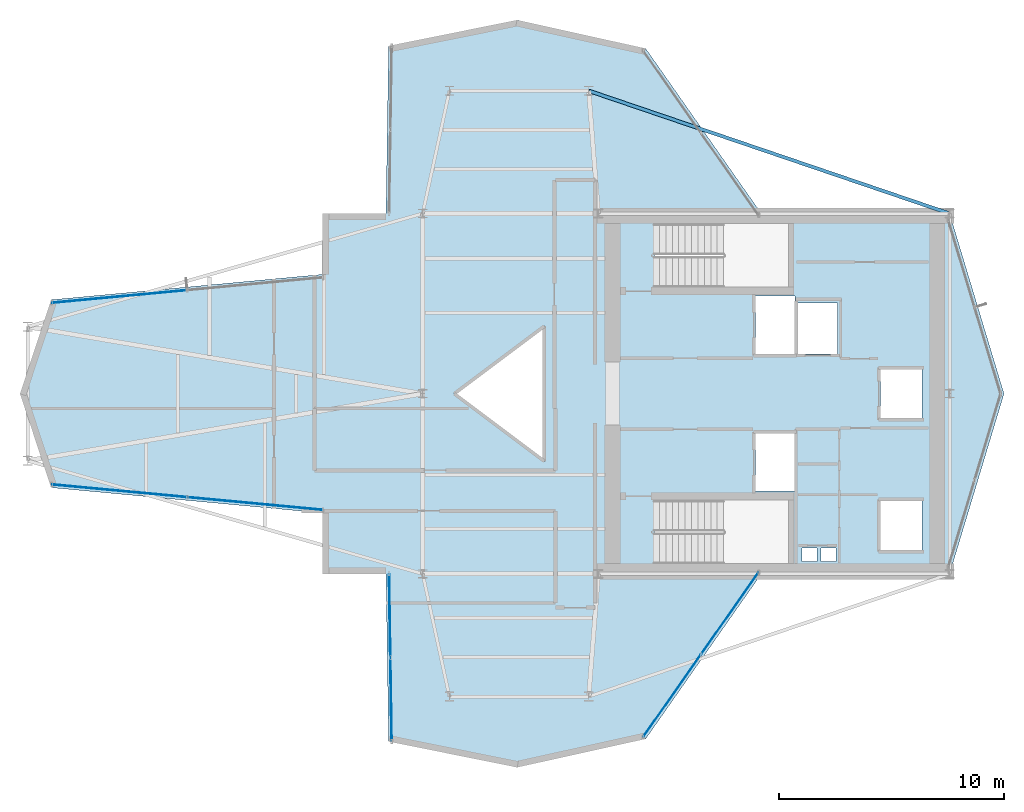
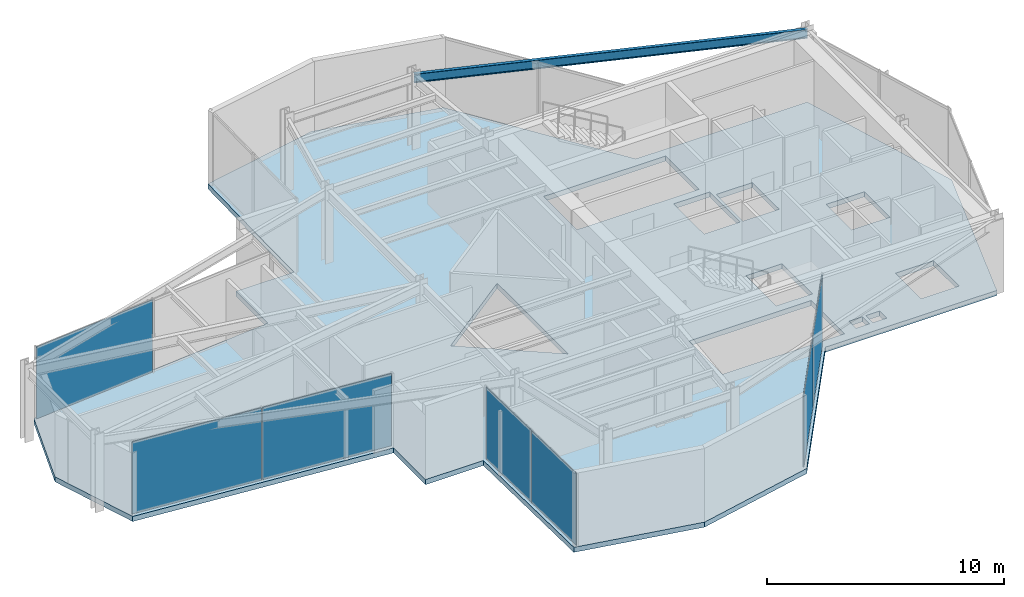
# One storey, part 17 of 22: 7 plates, 1 beam, 1 slab, 4 elements without a shape of their own.
"""IFC4 building model written with IfcOpenShell, lengths in metres."""

from ifc_helpers import new_model, si_unit, direction, frame, origin, origin_2d, place, context, subcontext, project, spatial, polyline, rectangle, i_section, outline, extrude, material, layer, layer_set, material_profile, profile_set, type_object, element, aggregate, save


model = new_model("IFC4")

# Units and contexts
model_context = context("Model", 3, precision=1e-05, world=origin(), true_north=direction((0.0, 1.0)))
body_context = subcontext(model_context, "Body", "Model", "MODEL_VIEW")
ifc_project = project(units=[si_unit("LENGTHUNIT", "METRE"), si_unit("AREAUNIT", "SQUARE_METRE"), si_unit("VOLUMEUNIT", "CUBIC_METRE"), si_unit("PLANEANGLEUNIT", "RADIAN"), si_unit("MASSUNIT", "GRAM", prefix="KILO")], contexts=[model_context])

# Site, building, storey
site_placement = place(None, origin())
site = spatial("IfcSite", under=ifc_project, at=site_placement, CompositionType="ELEMENT")
building_placement = place(site_placement, origin())
building = spatial("IfcBuilding", under=site, at=building_placement, Name="Veymaron Broadcast Tower", CompositionType="ELEMENT")
storey_placement = place(building_placement, frame((0.0, 0.0, 216.14990234375)))
storey = spatial("IfcBuildingStorey", under=building, at=storey_placement, Name="L50", CompositionType="ELEMENT", Elevation=216.14990234375)

# Beam
ifc_material_1 = material(Name="Structural steel ASTM A992 Gr 50", Category="steel")
ifc_material_profile = material_profile(ifc_material_1, i_section(OverallWidth=0.154052734375, OverallDepth=0.458984375, WebThickness=0.009033203125, FlangeThickness=0.015380859375, at=origin_2d()), Name="W460X68")
ifc_profile_set = profile_set([ifc_material_profile], Name="Structural steel ASTM A992 Gr 50")
beam_type = type_object("IfcBeamType", Name="BM-SP2", PredefinedType="SPANDREL", material=ifc_profile_set)
beam_placement = place(storey_placement, frame((54.60009765625, 32.0, 3.560546875), z_axis=(-0.946747509746, 0.3219769445, 0.0), x_axis=(-0.3219769445, -0.946747509746, 0.0)))
element("IfcBeam", 1, at=beam_placement, inside=storey, type_object=beam_type, Name="L50 primary structural floor girder", PredefinedType="SPANDREL", context=body_context, shape_type="SweptSolid", body=[
    extrude(i_section(OverallWidth=0.154052734375, OverallDepth=0.458984375, WebThickness=0.009033203125, FlangeThickness=0.015380859375, at=origin_2d()), origin(), (0.0, 0.0, 1.0), 16.926513671875),
])

# Curtain wall, plate
ifc_material_2 = material(Name="Anodised aluminium AA 6063-T6 and laminated low-E dark glass", Category="aluminium")
ifc_layer_1 = layer(ifc_material_2, 0.179931640625)
ifc_layer_set_1 = layer_set([ifc_layer_1], Name="Anodised aluminium AA 6063-T6 and laminated low-E dark glass")
curtain_wall_type = type_object("IfcCurtainWallType", Name="CW-SYS-05", PredefinedType="NOTDEFINED", material=ifc_layer_set_1)
curtain_wall_1_placement = place(storey_placement, origin())
curtain_wall_1 = element("IfcCurtainWall", 2, at=curtain_wall_1_placement, inside=storey, type_object=curtain_wall_type, Name="L50 dark-glass curtain wall CW-L50-E11-1", PredefinedType="NOTDEFINED")
ifc_material_3 = material(Name="Double-silver solar-control dark glass IGU 32 mm", Category="glass")
ifc_layer_2 = layer(ifc_material_3, 0.031982421875)
ifc_layer_set_2 = layer_set([ifc_layer_2], Name="Double-silver solar-control dark glass IGU 32 mm")
plate_type = type_object("IfcPlateType", Name="CW-PNL-02", PredefinedType="CURTAIN_PANEL", material=ifc_layer_set_2)
plate_1_placement = place(storey_placement, frame((17.72802734375, 28.313720703125, 0.0400390625), z_axis=(0.0, 0.0, 1.0), x_axis=(-0.995642083019, -0.093256863132, 0.0)))
plate_1 = element("IfcPlate", 3, at=plate_1_placement, type_object=plate_type, Name="CW-L50-E11-1 unitised curtain panel 1", PredefinedType="CURTAIN_PANEL", context=body_context, shape_type="SweptSolid", body=[
    extrude(rectangle(XDim=5.996337890625, YDim=0.031982421875, at=origin_2d()), origin(), (0.0, 0.0, 1.0), 3.7099609375),
])
aggregate(curtain_wall_1, [plate_1])

# Curtain wall, plates
curtain_wall_2_placement = place(storey_placement, origin())
curtain_wall_2 = element("IfcCurtainWall", 4, at=curtain_wall_2_placement, inside=storey, type_object=curtain_wall_type, Name="L50 dark-glass curtain wall CW-L50-E14-1", PredefinedType="NOTDEFINED")
plate_2_placement = place(storey_placement, frame((17.72802734375, 19.686279296875, 0.0400390625), z_axis=(0.0, 0.0, 1.0), x_axis=(0.995642083019, -0.093256863132, 0.0)))
plate_2 = element("IfcPlate", 5, at=plate_2_placement, type_object=plate_type, Name="CW-L50-E14-1 unitised curtain panel 0", PredefinedType="CURTAIN_PANEL", context=body_context, shape_type="SweptSolid", body=[
    extrude(rectangle(XDim=5.996337890625, YDim=0.031982421875, at=origin_2d()), origin(), (0.0, 0.0, 1.0), 3.7099609375),
])
plate_3_placement = place(storey_placement, frame((23.758056640625, 19.121337890625, 0.0400390625), z_axis=(0.0, 0.0, 1.0), x_axis=(0.995642083019, -0.093256863132, 0.0)))
plate_3 = element("IfcPlate", 6, at=plate_3_placement, type_object=plate_type, Name="CW-L50-E14-1 unitised curtain panel 1", PredefinedType="CURTAIN_PANEL", context=body_context, shape_type="SweptSolid", body=[
    extrude(rectangle(XDim=5.996337890625, YDim=0.031982421875, at=origin_2d()), origin(), (0.0, 0.0, 1.0), 3.7099609375),
])
aggregate(curtain_wall_2, [plate_2, plate_3])

curtain_wall_3_placement = place(storey_placement, origin())
curtain_wall_3 = element("IfcCurtainWall", 7, at=curtain_wall_3_placement, inside=storey, type_object=curtain_wall_type, Name="L50 dark-glass curtain wall CW-L50-E17-1", PredefinedType="NOTDEFINED")
plate_4_placement = place(storey_placement, frame((29.7412109375, 14.140869140625, 0.0400390625), z_axis=(0.0, 0.0, 1.0), x_axis=(0.015480452098, -0.999880170622, 0.0)))
plate_4 = element("IfcPlate", 8, at=plate_4_placement, type_object=plate_type, Name="CW-L50-E17-1 unitised curtain panel 0", PredefinedType="CURTAIN_PANEL", context=body_context, shape_type="SweptSolid", body=[
    extrude(rectangle(XDim=3.662841796875, YDim=0.031982421875, at=origin_2d()), origin(), (0.0, 0.0, 1.0), 3.7099609375),
])
plate_5_placement = place(storey_placement, frame((29.798828125, 10.41845703125, 0.0400390625), z_axis=(0.0, 0.0, 1.0), x_axis=(0.015480452098, -0.999880170622, 0.0)))
plate_5 = element("IfcPlate", 9, at=plate_5_placement, type_object=plate_type, Name="CW-L50-E17-1 unitised curtain panel 1", PredefinedType="CURTAIN_PANEL", context=body_context, shape_type="SweptSolid", body=[
    extrude(rectangle(XDim=3.662841796875, YDim=0.031982421875, at=origin_2d()), origin(), (0.0, 0.0, 1.0), 3.7099609375),
])
aggregate(curtain_wall_3, [plate_4, plate_5])

curtain_wall_4_placement = place(storey_placement, origin())
curtain_wall_4 = element("IfcCurtainWall", 10, at=curtain_wall_4_placement, inside=storey, type_object=curtain_wall_type, Name="L50 dark-glass curtain wall CW-L50-E20-1", PredefinedType="NOTDEFINED")
plate_6_placement = place(storey_placement, frame((42.27197265625, 10.582763671875, 0.0400390625), z_axis=(0.0, 0.0, 1.0), x_axis=(0.573905218834, 0.818921729957, 0.0)))
plate_6 = element("IfcPlate", 11, at=plate_6_placement, type_object=plate_type, Name="CW-L50-E20-1 unitised curtain panel 0", PredefinedType="CURTAIN_PANEL", context=body_context, shape_type="SweptSolid", body=[
    extrude(rectangle(XDim=4.415283203125, YDim=0.031982421875, at=origin_2d()), origin(), (0.0, 0.0, 1.0), 3.7099609375),
])
plate_7_placement = place(storey_placement, frame((44.84033203125, 14.247802734375, 0.0400390625), z_axis=(0.0, 0.0, 1.0), x_axis=(0.573905218834, 0.818921729957, 0.0)))
plate_7 = element("IfcPlate", 12, at=plate_7_placement, type_object=plate_type, Name="CW-L50-E20-1 unitised curtain panel 1", PredefinedType="CURTAIN_PANEL", context=body_context, shape_type="SweptSolid", body=[
    extrude(rectangle(XDim=4.415283203125, YDim=0.031982421875, at=origin_2d()), origin(), (0.0, 0.0, 1.0), 3.7099609375),
])
aggregate(curtain_wall_4, [plate_6, plate_7])

# Slab
ifc_material_4 = material(Name="Concrete C40/50", Category="concrete")
ifc_layer_3 = layer(ifc_material_4, 0.260009765625)
ifc_layer_set_3 = layer_set([ifc_layer_3], Name="Concrete C40/50")
slab_type = type_object("IfcSlabType", Name="SLAB-FS5", PredefinedType="FLOOR", material=ifc_layer_set_3)
slab_placement = place(storey_placement, frame((0.0, 0.0, -0.260009765625)))
element("IfcSlab", 13, at=slab_placement, inside=storey, type_object=slab_type, Name="L50 structural floor slab", PredefinedType="FLOOR", context=body_context, shape_type="SweptSolid", body=[
    extrude(outline(polyline([(46.2392578125, 16.0), (54.60009765625, 16.0), (57.014892578125, 24.0), (54.60009765625, 32.0), (46.2392578125, 32.0), (41.102294921875, 39.330078125), (35.39501953125, 40.594970703125), (29.687744140625, 39.445068359375), (29.572509765625, 32.0), (26.760009765625, 32.0), (26.760009765625, 29.30029296875), (14.699951171875, 28.170654296875), (13.320068359375, 24.0), (14.699951171875, 19.829345703125), (26.760009765625, 18.69970703125), (26.760009765625, 16.0), (29.572509765625, 16.0), (29.687744140625, 8.554931640625), (35.39501953125, 7.405029296875), (41.102294921875, 8.669921875), (46.2392578125, 16.0)]), holes=[polyline([(45.969970703125, 28.330078125), (47.72998046875, 28.330078125), (47.72998046875, 25.77001953125), (45.969970703125, 25.77001953125), (45.969970703125, 28.330078125)]), polyline([(45.969970703125, 22.22998046875), (47.72998046875, 22.22998046875), (47.72998046875, 19.669921875), (45.969970703125, 19.669921875), (45.969970703125, 22.22998046875)]), polyline([(47.8701171875, 28.030029296875), (49.6298828125, 28.030029296875), (49.6298828125, 25.77001953125), (47.8701171875, 25.77001953125), (47.8701171875, 28.030029296875)]), polyline([(51.52001953125, 25.080078125), (53.3798828125, 25.080078125), (53.3798828125, 22.919921875), (51.52001953125, 22.919921875), (51.52001953125, 25.080078125)]), polyline([(51.52001953125, 19.22998046875), (53.3798828125, 19.22998046875), (53.3798828125, 17.070068359375), (51.52001953125, 17.070068359375), (51.52001953125, 19.22998046875)]), polyline([(48.050048828125, 17.159912109375), (48.719970703125, 17.159912109375), (48.719970703125, 16.56005859375), (48.050048828125, 16.56005859375), (48.050048828125, 17.159912109375)]), polyline([(48.8798828125, 17.159912109375), (49.550048828125, 17.159912109375), (49.550048828125, 16.56005859375), (48.8798828125, 16.56005859375), (48.8798828125, 17.159912109375)]), polyline([(36.60009765625, 27.0), (36.60009765625, 21.0), (32.60009765625, 24.0), (36.60009765625, 27.0)]), polyline([(41.489990234375, 31.550048828125), (47.43994140625, 31.550048828125), (47.43994140625, 28.72998046875), (41.489990234375, 28.72998046875), (41.489990234375, 31.550048828125)]), polyline([(41.489990234375, 19.27001953125), (47.43994140625, 19.27001953125), (47.43994140625, 16.449951171875), (41.489990234375, 16.449951171875), (41.489990234375, 19.27001953125)])]), origin(), (0.0, 0.0, 1.0), 0.260009765625),
])

save(model, "model.ifc")
